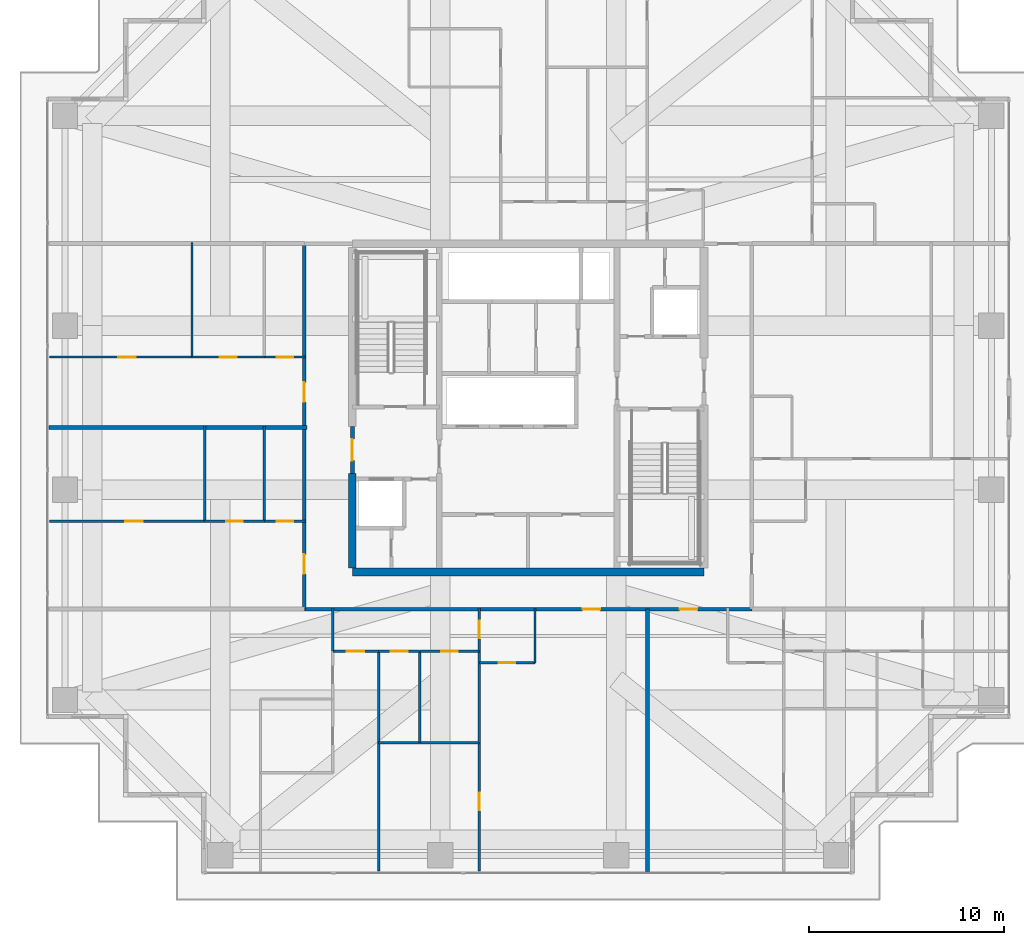
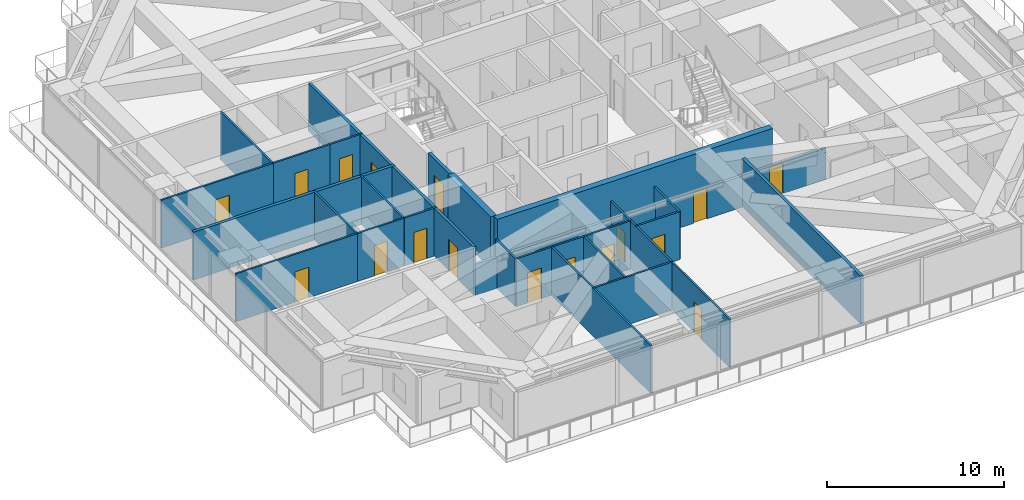
# One storey, part 23 of 32: 28 walls, 17 doors, 17 openings.
"""IFC4 building model written with IfcOpenShell, lengths in metres."""

from ifc_helpers import new_model, si_unit, direction, frame, frame_2d, origin, place, context, subcontext, project, spatial, rectangle, extrude, source, transform, mapped, material, layer, layer_set, type_object, element, fill, save


model = new_model("IFC4")

# Units and contexts
model_context = context("Model", 3, precision=1e-05, world=origin(), true_north=direction((0.0, 1.0)))
body_context = subcontext(model_context, "Body", "Model", "MODEL_VIEW")
ifc_project = project(units=[si_unit("LENGTHUNIT", "METRE"), si_unit("AREAUNIT", "SQUARE_METRE"), si_unit("VOLUMEUNIT", "CUBIC_METRE"), si_unit("PLANEANGLEUNIT", "RADIAN"), si_unit("MASSUNIT", "GRAM", prefix="KILO")], contexts=[model_context])

# Site, building, storey
site_placement = place(None, origin())
site = spatial("IfcSite", under=ifc_project, at=site_placement, CompositionType="ELEMENT")
building_placement = place(site_placement, origin())
building = spatial("IfcBuilding", under=site, at=building_placement, Name="Serunith Strait Residences", CompositionType="ELEMENT")
storey_placement = place(building_placement, frame((0.0, 0.0, 195.14990234375)))
storey = spatial("IfcBuildingStorey", under=building, at=storey_placement, Name="L49", CompositionType="ELEMENT", Elevation=195.14990234375)

# Wall, openings, doors
ifc_material_1 = material(Name="Fire-rated acoustic gypsum partition")
ifc_layer_1 = layer(ifc_material_1, 0.179931640625, Name="Fire-rated acoustic gypsum partition")
ifc_layer_set_1 = layer_set([ifc_layer_1], Name="Fire-rated acoustic gypsum partition")
wall_type_1 = type_object("IfcWallType", Name="IW-CORR-180", PredefinedType="PARTITIONING", material=ifc_layer_set_1)
wall_1_placement = place(storey_placement, frame((20.951904296875, 14.89990234375, 0.0), z_axis=(0.0, 0.0, 1.0), x_axis=(1.0, 0.0, 0.0)))
wall_1 = element("IfcWall", 1, at=wall_1_placement, inside=storey, type_object=wall_type_1, Name="L49 Partition Wall 026", PredefinedType="PARTITIONING", context=body_context, shape_type="SweptSolid", body=[
    extrude(rectangle(XDim=22.89599609375, YDim=0.179931640625, at=frame_2d((11.447998046875, 0.0))), origin(), (0.0, 0.0, 1.0), 2.14501953125),
])
opening_1_placement = place(wall_1_placement, frame((14.23095703125, 0.0, 0.0)))
opening_1 = element("IfcOpeningElement", 2, at=opening_1_placement, cuts=wall_1, Name="Opening FD-900", PredefinedType="OPENING", context=body_context, shape_type="SweptSolid", body=[
    extrude(rectangle(XDim=0.89990234375, YDim=2.10009765625, at=frame_2d((0.449951171875, 1.050048828125))), frame((0.0, 0.10009765625, 0.0), z_axis=(0.0, -1.0, 0.0), x_axis=(1.0, 0.0, 0.0)), (0.0, 0.0, 1.0), 0.199951171875),
])
opening_2_placement = place(wall_1_placement, frame((19.202880859375, 0.0, 0.0)))
opening_2 = element("IfcOpeningElement", 3, at=opening_2_placement, cuts=wall_1, Name="Opening FD-900", PredefinedType="OPENING", context=body_context, shape_type="SweptSolid", body=[
    extrude(rectangle(XDim=0.89990234375, YDim=2.10009765625, at=frame_2d((0.449951171875, 1.050048828125))), frame((0.0, 0.10009765625, 0.0), z_axis=(0.0, -1.0, 0.0), x_axis=(1.0, 0.0, 0.0)), (0.0, 0.0, 1.0), 0.199951171875),
])
ifc_material_2 = material(Name="Powder-coated steel riser door", Category="steel")
door_type_1 = type_object("IfcDoorType", Name="FD-BOH-900", OperationType="NOTDEFINED", PredefinedType="DOOR", material=ifc_material_2)
shared_shape_1 = source(origin(), body_context, "Body", "SweptSolid", [
    extrude(rectangle(XDim=0.89990234375, YDim=2.10009765625, at=frame_2d((0.449951171875, 1.050048828125))), frame((0.0, 0.02490234375, 0.0), z_axis=(0.0, -1.0, 0.0), x_axis=(1.0, 0.0, 0.0)), (0.0, 0.0, 1.0), 0.050048828125),
])
door_1_placement = place(opening_1_placement, origin())
door_1 = element("IfcDoor", 4, at=door_1_placement, inside=storey, type_object=door_type_1, Name="L49 Unit 01 Entrance Door", OperationType="SINGLE_SWING_LEFT", OverallHeight=2.10009765625, OverallWidth=0.89990234375, PredefinedType="DOOR", context=body_context, shape_type="MappedRepresentation", body=[
    mapped(shared_shape_1, transform((0.0, 0.0, 0.0), scale=1.0)),
])
fill(opening_1, door_1)
door_2_placement = place(opening_2_placement, origin())
door_2 = element("IfcDoor", 5, at=door_2_placement, inside=storey, type_object=door_type_1, Name="L49 Unit 02 Entrance Door", OperationType="SINGLE_SWING_RIGHT", OverallHeight=2.10009765625, OverallWidth=0.89990234375, PredefinedType="DOOR", context=body_context, shape_type="MappedRepresentation", body=[
    mapped(shared_shape_1, transform((0.0, 0.0, 0.0), scale=1.0)),
])
fill(opening_2, door_2)

wall_2_placement = place(storey_placement, frame((20.949951171875, 14.89990234375, 0.0), z_axis=(0.0, 0.0, 1.0), x_axis=(0.0, 1.0, 0.0)))
wall_2 = element("IfcWall", 6, at=wall_2_placement, inside=storey, type_object=wall_type_1, Name="L49 Partition Wall 027", PredefinedType="PARTITIONING", context=body_context, shape_type="SweptSolid", body=[
    extrude(rectangle(XDim=18.7001953125, YDim=0.179931640625, at=frame_2d((9.35009765625, 0.0))), origin(), (0.0, 0.0, 1.0), 3.31005859375),
])
opening_3_placement = place(wall_2_placement, frame((1.804931640625, 0.0, 0.0)))
opening_3 = element("IfcOpeningElement", 7, at=opening_3_placement, cuts=wall_2, Name="Opening D-APT1000", PredefinedType="OPENING", context=body_context, shape_type="SweptSolid", body=[
    extrude(rectangle(XDim=1.0, YDim=2.14990234375, at=frame_2d((0.5, 1.074951171875))), frame((0.0, 0.10009765625, 0.0), z_axis=(0.0, -1.0, 0.0), x_axis=(1.0, 0.0, 0.0)), (0.0, 0.0, 1.0), 0.199951171875),
])
opening_4_placement = place(wall_2_placement, frame((10.60205078125, 0.0, 0.0)))
opening_4 = element("IfcOpeningElement", 8, at=opening_4_placement, cuts=wall_2, Name="Opening D-APT1000", PredefinedType="OPENING", context=body_context, shape_type="SweptSolid", body=[
    extrude(rectangle(XDim=1.0, YDim=2.14990234375, at=frame_2d((0.5, 1.074951171875))), frame((0.0, 0.10009765625, 0.0), z_axis=(0.0, -1.0, 0.0), x_axis=(1.0, 0.0, 0.0)), (0.0, 0.0, 1.0), 0.199951171875),
])
ifc_material_3 = material(Name="Solid timber engineered fire door", Category="wood")
door_type_2 = type_object("IfcDoorType", Name="ID-APT-1000", OperationType="NOTDEFINED", PredefinedType="DOOR", material=ifc_material_3)
shared_shape_2 = source(origin(), body_context, "Body", "SweptSolid", [
    extrude(rectangle(XDim=1.0, YDim=2.14990234375, at=frame_2d((0.5, 1.074951171875))), frame((0.0, 0.02490234375, 0.0), z_axis=(0.0, -1.0, 0.0), x_axis=(1.0, 0.0, 0.0)), (0.0, 0.0, 1.0), 0.050048828125),
])
door_3_placement = place(opening_3_placement, origin())
door_3 = element("IfcDoor", 9, at=door_3_placement, inside=storey, type_object=door_type_2, Name="L49 Unit 04 Entrance Door", OperationType="SINGLE_SWING_LEFT", OverallHeight=2.14990234375, OverallWidth=1.0, PredefinedType="DOOR", context=body_context, shape_type="MappedRepresentation", body=[
    mapped(shared_shape_2, transform((0.0, 0.0, 0.0), scale=1.0)),
])
fill(opening_3, door_3)
door_4_placement = place(opening_4_placement, origin())
door_4 = element("IfcDoor", 10, at=door_4_placement, inside=storey, type_object=door_type_2, Name="L49 Unit 05 Entrance Door", OperationType="SINGLE_SWING_RIGHT", OverallHeight=2.14990234375, OverallWidth=1.0, PredefinedType="DOOR", context=body_context, shape_type="MappedRepresentation", body=[
    mapped(shared_shape_2, transform((0.0, 0.0, 0.0), scale=1.0)),
])
fill(opening_4, door_4)

# Wall, opening, door
ifc_material_4 = material(Name="Lightweight steel-stud gypsum partition", Category="steel")
ifc_layer_2 = layer(ifc_material_4, 0.1201171875, Name="Lightweight steel-stud gypsum partition")
ifc_layer_set_2 = layer_set([ifc_layer_2], Name="Lightweight steel-stud gypsum partition")
wall_type_2 = type_object("IfcWallType", Name="IW-PART-120", PredefinedType="PARTITIONING", material=ifc_layer_set_2)
wall_3_placement = place(storey_placement, frame((29.89990234375, 12.14990234375, 0.0), z_axis=(0.0, 0.0, 1.0), x_axis=(1.0, 0.0, 0.0)))
wall_3 = element("IfcWall", 11, at=wall_3_placement, inside=storey, type_object=wall_type_2, Name="L49 Partition Wall 031", PredefinedType="PARTITIONING", context=body_context, shape_type="SweptSolid", body=[
    extrude(rectangle(XDim=2.85009765625, YDim=0.1201171875, at=frame_2d((1.425048828125, 0.0))), origin(), (0.0, 0.0, 1.0), 3.31005859375),
])
opening_5_placement = place(wall_3_placement, frame((1.0, 0.0, 0.0)))
opening_5 = element("IfcOpeningElement", 12, at=opening_5_placement, cuts=wall_3, Name="Opening D-RM850", PredefinedType="OPENING", context=body_context, shape_type="SweptSolid", body=[
    extrude(rectangle(XDim=0.85009765625, YDim=2.10009765625, at=frame_2d((0.425048828125, 1.050048828125))), frame((0.0, 0.070068359375, 0.0), z_axis=(0.0, -1.0, 0.0), x_axis=(1.0, 0.0, 0.0)), (0.0, 0.0, 1.0), 0.14013671875),
])
ifc_material_5 = material(Name="Engineered timber flush study and kitchen door", Category="wood")
door_type_3 = type_object("IfcDoorType", Name="ID-ROOM-850", OperationType="NOTDEFINED", PredefinedType="DOOR", material=ifc_material_5)
shared_shape_3 = source(origin(), body_context, "Body", "SweptSolid", [
    extrude(rectangle(XDim=0.85009765625, YDim=2.10009765625, at=frame_2d((0.425048828125, 1.050048828125))), frame((0.0, 0.02490234375, 0.0), z_axis=(0.0, -1.0, 0.0), x_axis=(1.0, 0.0, 0.0)), (0.0, 0.0, 1.0), 0.050048828125),
])
door_5_placement = place(opening_5_placement, origin())
door_5 = element("IfcDoor", 13, at=door_5_placement, inside=storey, type_object=door_type_3, Name="L49 Kitchen 4901 Door", OperationType="SINGLE_SWING_LEFT", OverallHeight=2.10009765625, OverallWidth=0.85009765625, PredefinedType="DOOR", context=body_context, shape_type="MappedRepresentation", body=[
    mapped(shared_shape_3, transform((0.0, 0.0, 0.0), scale=1.0)),
])
fill(opening_5, door_5)

# Wall
wall_4_placement = place(storey_placement, frame((32.75, 12.14990234375, 0.0), z_axis=(0.0, 0.0, 1.0), x_axis=(0.0, 1.0, 0.0)))
element("IfcWall", 14, at=wall_4_placement, inside=storey, type_object=wall_type_2, Name="L49 Partition Wall 032", PredefinedType="PARTITIONING", context=body_context, shape_type="SweptSolid", body=[
    extrude(rectangle(XDim=2.81005859375, YDim=0.1201171875, at=frame_2d((1.405029296875, 0.0))), origin(), (0.0, 0.0, 1.0), 3.31005859375),
])

# Wall, opening, door
wall_5_placement = place(storey_placement, frame((29.89990234375, 12.75, 0.0), z_axis=(0.0, 0.0, 1.0), x_axis=(0.0, 1.0, 0.0)))
wall_5 = element("IfcWall", 15, at=wall_5_placement, inside=storey, type_object=wall_type_2, Name="L49 Partition Wall 033", PredefinedType="PARTITIONING", context=body_context, shape_type="SweptSolid", body=[
    extrude(rectangle(XDim=2.2099609375, YDim=0.1201171875, at=frame_2d((1.10498046875, 0.0))), origin(), (0.0, 0.0, 1.0), 3.31005859375),
])
opening_6_placement = place(wall_5_placement, frame((0.655029296875, 0.0, 0.0)))
opening_6 = element("IfcOpeningElement", 16, at=opening_6_placement, cuts=wall_5, Name="Opening D-RM900", PredefinedType="OPENING", context=body_context, shape_type="SweptSolid", body=[
    extrude(rectangle(XDim=0.89990234375, YDim=2.10009765625, at=frame_2d((0.449951171875, 1.050048828125))), frame((0.0, 0.070068359375, 0.0), z_axis=(0.0, -1.0, 0.0), x_axis=(1.0, 0.0, 0.0)), (0.0, 0.0, 1.0), 0.14013671875),
])
ifc_material_6 = material(Name="Engineered timber flush bedroom door", Category="wood")
door_type_4 = type_object("IfcDoorType", Name="ID-ROOM-900", OperationType="NOTDEFINED", PredefinedType="DOOR", material=ifc_material_6)
door_6_placement = place(opening_6_placement, origin())
door_6 = element("IfcDoor", 17, at=door_6_placement, inside=storey, type_object=door_type_4, Name="L49 Hall W 4901 Door", OperationType="SINGLE_SWING_RIGHT", OverallHeight=2.10009765625, OverallWidth=0.89990234375, PredefinedType="DOOR", context=body_context, shape_type="MappedRepresentation", body=[
    mapped(shared_shape_1, transform((0.0, 0.0, 0.0), scale=1.0)),
])
fill(opening_6, door_6)

wall_6_placement = place(storey_placement, frame((29.89990234375, 1.4951171875, 0.0), z_axis=(0.0, 0.0, 1.0), x_axis=(0.0, 1.0, 0.0)))
wall_6 = element("IfcWall", 18, at=wall_6_placement, inside=storey, type_object=wall_type_2, Name="L49 Partition Wall 034", PredefinedType="PARTITIONING", context=body_context, shape_type="SweptSolid", body=[
    extrude(rectangle(XDim=6.56787109375, YDim=0.1201171875, at=frame_2d((3.283935546875, 0.0))), origin(), (0.0, 0.0, 1.0), 3.31005859375),
])
opening_7_placement = place(wall_6_placement, frame((3.116943359375, 0.0, 0.0)))
opening_7 = element("IfcOpeningElement", 19, at=opening_7_placement, cuts=wall_6, Name="Opening D-RM900", PredefinedType="OPENING", context=body_context, shape_type="SweptSolid", body=[
    extrude(rectangle(XDim=0.89990234375, YDim=2.10009765625, at=frame_2d((0.449951171875, 1.050048828125))), frame((0.0, 0.070068359375, 0.0), z_axis=(0.0, -1.0, 0.0), x_axis=(1.0, 0.0, 0.0)), (0.0, 0.0, 1.0), 0.14013671875),
])
door_7_placement = place(opening_7_placement, origin())
door_7 = element("IfcDoor", 20, at=door_7_placement, inside=storey, type_object=door_type_4, Name="L49 Formal Dining Room 1 4901 Door", OperationType="SINGLE_SWING_LEFT", OverallHeight=2.10009765625, OverallWidth=0.89990234375, PredefinedType="DOOR", context=body_context, shape_type="MappedRepresentation", body=[
    mapped(shared_shape_1, transform((0.0, 0.0, 0.0), scale=1.0)),
])
fill(opening_7, door_7)

# Walls
wall_7_placement = place(storey_placement, frame((29.89990234375, 8.06494140625, 0.0), z_axis=(0.0, 0.0, 1.0), x_axis=(0.0, 1.0, 0.0)))
element("IfcWall", 21, at=wall_7_placement, inside=storey, type_object=wall_type_2, Name="L49 Partition Wall 035", PredefinedType="PARTITIONING", context=body_context, shape_type="SweptSolid", body=[
    extrude(rectangle(XDim=4.68310546875, YDim=0.1201171875, at=frame_2d((2.341552734375, 0.0))), origin(), (0.0, 0.0, 1.0), 3.31005859375),
])
wall_8_placement = place(storey_placement, frame((24.75, 8.06298828125, 0.0), z_axis=(0.0, 0.0, 1.0), x_axis=(1.0, 0.0, 0.0)))
element("IfcWall", 22, at=wall_8_placement, inside=storey, type_object=wall_type_2, Name="L49 Partition Wall 036", PredefinedType="PARTITIONING", context=body_context, shape_type="SweptSolid", body=[
    extrude(rectangle(XDim=5.14990234375, YDim=0.1201171875, at=frame_2d((2.574951171875, 0.0))), origin(), (0.0, 0.0, 1.0), 3.31005859375),
])
wall_9_placement = place(storey_placement, frame((24.75, 1.4951171875, 0.0), z_axis=(0.0, 0.0, 1.0), x_axis=(0.0, 1.0, 0.0)))
element("IfcWall", 23, at=wall_9_placement, inside=storey, type_object=wall_type_2, Name="L49 Partition Wall 037", PredefinedType="PARTITIONING", context=body_context, shape_type="SweptSolid", body=[
    extrude(rectangle(XDim=11.2548828125, YDim=0.1201171875, at=frame_2d((5.62744140625, 0.0))), origin(), (0.0, 0.0, 1.0), 3.31005859375),
])
wall_10_placement = place(storey_placement, frame((26.85009765625, 8.06298828125, 0.0), z_axis=(0.0, 0.0, 1.0), x_axis=(0.0, 1.0, 0.0)))
element("IfcWall", 24, at=wall_10_placement, inside=storey, type_object=wall_type_2, Name="L49 Partition Wall 038", PredefinedType="PARTITIONING", context=body_context, shape_type="SweptSolid", body=[
    extrude(rectangle(XDim=4.68701171875, YDim=0.1201171875, at=frame_2d((2.343505859375, 0.0))), origin(), (0.0, 0.0, 1.0), 3.31005859375),
])

# Wall, opening, door
wall_11_placement = place(storey_placement, frame((24.75, 12.75, 0.0), z_axis=(0.0, 0.0, 1.0), x_axis=(1.0, 0.0, 0.0)))
wall_11 = element("IfcWall", 25, at=wall_11_placement, inside=storey, type_object=wall_type_2, Name="L49 Partition Wall 039", PredefinedType="PARTITIONING", context=body_context, shape_type="SweptSolid", body=[
    extrude(rectangle(XDim=2.10009765625, YDim=0.1201171875, at=frame_2d((1.050048828125, 0.0))), origin(), (0.0, 0.0, 1.0), 3.31005859375),
])
opening_8_placement = place(wall_11_placement, frame((0.625, 0.0, 0.0)))
opening_8 = element("IfcOpeningElement", 26, at=opening_8_placement, cuts=wall_11, Name="Opening D-BTH850", PredefinedType="OPENING", context=body_context, shape_type="SweptSolid", body=[
    extrude(rectangle(XDim=0.85009765625, YDim=2.10009765625, at=frame_2d((0.425048828125, 1.050048828125))), frame((0.0, 0.070068359375, 0.0), z_axis=(0.0, -1.0, 0.0), x_axis=(1.0, 0.0, 0.0)), (0.0, 0.0, 1.0), 0.14013671875),
])
ifc_material_7 = material(Name="Moisture-resistant timber bathroom door", Category="wood")
door_type_5 = type_object("IfcDoorType", Name="ID-BATH-850", OperationType="NOTDEFINED", PredefinedType="DOOR", material=ifc_material_7)
door_8_placement = place(opening_8_placement, origin())
door_8 = element("IfcDoor", 27, at=door_8_placement, inside=storey, type_object=door_type_5, Name="L49 Bathroom 4901 Door", OperationType="SINGLE_SWING_RIGHT", OverallHeight=2.10009765625, OverallWidth=0.85009765625, PredefinedType="DOOR", context=body_context, shape_type="MappedRepresentation", body=[
    mapped(shared_shape_3, transform((0.0, 0.0, 0.0), scale=1.0)),
])
fill(opening_8, door_8)

wall_12_placement = place(storey_placement, frame((26.85205078125, 12.75, 0.0), z_axis=(0.0, 0.0, 1.0), x_axis=(1.0, 0.0, 0.0)))
wall_12 = element("IfcWall", 28, at=wall_12_placement, inside=storey, type_object=wall_type_2, Name="L49 Partition Wall 040", PredefinedType="PARTITIONING", context=body_context, shape_type="SweptSolid", body=[
    extrude(rectangle(XDim=3.0478515625, YDim=0.1201171875, at=frame_2d((1.52392578125, 0.0))), origin(), (0.0, 0.0, 1.0), 3.31005859375),
])
opening_9_placement = place(wall_12_placement, frame((1.09912109375, 0.0, 0.0)))
opening_9 = element("IfcOpeningElement", 29, at=opening_9_placement, cuts=wall_12, Name="Opening D-RM850", PredefinedType="OPENING", context=body_context, shape_type="SweptSolid", body=[
    extrude(rectangle(XDim=0.85009765625, YDim=2.10009765625, at=frame_2d((0.425048828125, 1.050048828125))), frame((0.0, 0.070068359375, 0.0), z_axis=(0.0, -1.0, 0.0), x_axis=(1.0, 0.0, 0.0)), (0.0, 0.0, 1.0), 0.14013671875),
])
door_9_placement = place(opening_9_placement, origin())
door_9 = element("IfcDoor", 30, at=door_9_placement, inside=storey, type_object=door_type_3, Name="L49 Formal Dining Room 4901 Door", OperationType="SINGLE_SWING_LEFT", OverallHeight=2.10009765625, OverallWidth=0.85009765625, PredefinedType="DOOR", context=body_context, shape_type="MappedRepresentation", body=[
    mapped(shared_shape_3, transform((0.0, 0.0, 0.0), scale=1.0)),
])
fill(opening_9, door_9)

wall_13_placement = place(storey_placement, frame((22.39990234375, 12.75, 0.0), z_axis=(0.0, 0.0, 1.0), x_axis=(1.0, 0.0, 0.0)))
wall_13 = element("IfcWall", 31, at=wall_13_placement, inside=storey, type_object=wall_type_2, Name="L49 Partition Wall 041", PredefinedType="PARTITIONING", context=body_context, shape_type="SweptSolid", body=[
    extrude(rectangle(XDim=2.34814453125, YDim=0.1201171875, at=frame_2d((1.174072265625, 0.0))), origin(), (0.0, 0.0, 1.0), 3.31005859375),
])
opening_10_placement = place(wall_13_placement, frame((0.72412109375, 0.0, 0.0)))
opening_10 = element("IfcOpeningElement", 32, at=opening_10_placement, cuts=wall_13, Name="Opening D-RM900", PredefinedType="OPENING", context=body_context, shape_type="SweptSolid", body=[
    extrude(rectangle(XDim=0.89990234375, YDim=2.10009765625, at=frame_2d((0.449951171875, 1.050048828125))), frame((0.0, 0.070068359375, 0.0), z_axis=(0.0, -1.0, 0.0), x_axis=(1.0, 0.0, 0.0)), (0.0, 0.0, 1.0), 0.14013671875),
])
door_10_placement = place(opening_10_placement, origin())
door_10 = element("IfcDoor", 33, at=door_10_placement, inside=storey, type_object=door_type_4, Name="L49 Master Bedroom W 4901 Door", OperationType="SINGLE_SWING_RIGHT", OverallHeight=2.10009765625, OverallWidth=0.89990234375, PredefinedType="DOOR", context=body_context, shape_type="MappedRepresentation", body=[
    mapped(shared_shape_1, transform((0.0, 0.0, 0.0), scale=1.0)),
])
fill(opening_10, door_10)

# Wall
wall_14_placement = place(storey_placement, frame((22.39990234375, 12.751953125, 0.0), z_axis=(0.0, 0.0, 1.0), x_axis=(0.0, 1.0, 0.0)))
element("IfcWall", 34, at=wall_14_placement, inside=storey, type_object=wall_type_2, Name="L49 Partition Wall 047", PredefinedType="PARTITIONING", context=body_context, shape_type="SweptSolid", body=[
    extrude(rectangle(XDim=2.2080078125, YDim=0.1201171875, at=frame_2d((1.10400390625, 0.0))), origin(), (0.0, 0.0, 1.0), 3.31005859375),
])

# Wall, opening, door
wall_15_placement = place(storey_placement, frame((7.89501953125, 19.39990234375, 0.0), z_axis=(0.0, 0.0, 1.0), x_axis=(1.0, 0.0, 0.0)))
wall_15 = element("IfcWall", 35, at=wall_15_placement, inside=storey, type_object=wall_type_2, Name="L49 Partition Wall 086", PredefinedType="PARTITIONING", context=body_context, shape_type="SweptSolid", body=[
    extrude(rectangle(XDim=7.950927734375, YDim=0.1201171875, at=frame_2d((3.9755859375, 0.0))), origin(), (0.0, 0.0, 1.0), 3.31005859375),
])
opening_11_placement = place(wall_15_placement, frame((3.8779296875, 0.0, 0.0)))
opening_11 = element("IfcOpeningElement", 36, at=opening_11_placement, cuts=wall_15, Name="Opening D-RM900", PredefinedType="OPENING", context=body_context, shape_type="SweptSolid", body=[
    extrude(rectangle(XDim=0.89990234375, YDim=2.10009765625, at=frame_2d((0.449951171875, 1.050048828125))), frame((0.0, 0.070068359375, 0.0), z_axis=(0.0, -1.0, 0.0), x_axis=(1.0, 0.0, 0.0)), (0.0, 0.0, 1.0), 0.14013671875),
])
door_11_placement = place(opening_11_placement, origin())
door_11 = element("IfcDoor", 37, at=door_11_placement, inside=storey, type_object=door_type_4, Name="L49 Master Bedroom 1 4904 Door", OperationType="SINGLE_SWING_RIGHT", OverallHeight=2.10009765625, OverallWidth=0.89990234375, PredefinedType="DOOR", context=body_context, shape_type="MappedRepresentation", body=[
    mapped(shared_shape_1, transform((0.0, 0.0, 0.0), scale=1.0)),
])
fill(opening_11, door_11)

# Walls
for number, where, z_axis, x_axis, name in (
    (38, (15.845947265625, 19.39990234375, 0.0), (0.0, 0.0, 1.0), (0.0, 1.0, 0.0), "L49 Partition Wall 087"),
    (39, (18.89990234375, 19.39990234375, 0.0), (0.0, 0.0, 1.0), (0.0, 1.0, 0.0), "L49 Partition Wall 088"),
):
    element("IfcWall", number, at=place(storey_placement, frame(where, z_axis=z_axis, x_axis=x_axis)), inside=storey, type_object=wall_type_2, Name=name, PredefinedType="PARTITIONING", context=body_context, shape_type="SweptSolid", body=[
        extrude(rectangle(XDim=4.860107421875, YDim=0.1201171875, at=frame_2d((2.43017578125, 0.0))), origin(), (0.0, 0.0, 1.0), 3.31005859375),
    ])

# Wall, opening, door
wall_16_placement = place(storey_placement, frame((15.847900390625, 19.39990234375, 0.0), z_axis=(0.0, 0.0, 1.0), x_axis=(1.0, 0.0, 0.0)))
wall_16 = element("IfcWall", 40, at=wall_16_placement, inside=storey, type_object=wall_type_2, Name="L49 Partition Wall 089", PredefinedType="PARTITIONING", context=body_context, shape_type="SweptSolid", body=[
    extrude(rectangle(XDim=3.052001953125, YDim=0.1201171875, at=frame_2d((1.52587890625, 0.0))), origin(), (0.0, 0.0, 1.0), 3.31005859375),
])
opening_12_placement = place(wall_16_placement, frame((1.10107421875, 0.0, 0.0)))
opening_12 = element("IfcOpeningElement", 41, at=opening_12_placement, cuts=wall_16, Name="Opening D-RM850", PredefinedType="OPENING", context=body_context, shape_type="SweptSolid", body=[
    extrude(rectangle(XDim=0.85009765625, YDim=2.10009765625, at=frame_2d((0.425048828125, 1.050048828125))), frame((0.0, 0.070068359375, 0.0), z_axis=(0.0, -1.0, 0.0), x_axis=(1.0, 0.0, 0.0)), (0.0, 0.0, 1.0), 0.14013671875),
])
door_12_placement = place(opening_12_placement, origin())
door_12 = element("IfcDoor", 42, at=door_12_placement, inside=storey, type_object=door_type_3, Name="L49 Kitchen 4904 Door", OperationType="SINGLE_SWING_LEFT", OverallHeight=2.10009765625, OverallWidth=0.85009765625, PredefinedType="DOOR", context=body_context, shape_type="MappedRepresentation", body=[
    mapped(shared_shape_3, transform((0.0, 0.0, 0.0), scale=1.0)),
])
fill(opening_12, door_12)

wall_17_placement = place(storey_placement, frame((18.902099609375, 19.39990234375, 0.0), z_axis=(0.0, 0.0, 1.0), x_axis=(1.0, 0.0, 0.0)))
wall_17 = element("IfcWall", 43, at=wall_17_placement, inside=storey, type_object=wall_type_2, Name="L49 Partition Wall 090", PredefinedType="PARTITIONING", context=body_context, shape_type="SweptSolid", body=[
    extrude(rectangle(XDim=2.10791015625, YDim=0.1201171875, at=frame_2d((1.053955078125, 0.0))), origin(), (0.0, 0.0, 1.0), 3.31005859375),
])
opening_13_placement = place(wall_17_placement, frame((0.62890625, 0.0, 0.0)))
opening_13 = element("IfcOpeningElement", 44, at=opening_13_placement, cuts=wall_17, Name="Opening D-BTH850", PredefinedType="OPENING", context=body_context, shape_type="SweptSolid", body=[
    extrude(rectangle(XDim=0.85009765625, YDim=2.10009765625, at=frame_2d((0.425048828125, 1.050048828125))), frame((0.0, 0.070068359375, 0.0), z_axis=(0.0, -1.0, 0.0), x_axis=(1.0, 0.0, 0.0)), (0.0, 0.0, 1.0), 0.14013671875),
])
door_13_placement = place(opening_13_placement, origin())
door_13 = element("IfcDoor", 45, at=door_13_placement, inside=storey, type_object=door_type_5, Name="L49 Bathroom 4904 Door", OperationType="SINGLE_SWING_RIGHT", OverallHeight=2.10009765625, OverallWidth=0.85009765625, PredefinedType="DOOR", context=body_context, shape_type="MappedRepresentation", body=[
    mapped(shared_shape_3, transform((0.0, 0.0, 0.0), scale=1.0)),
])
fill(opening_13, door_13)

wall_18_placement = place(storey_placement, frame((7.89501953125, 27.800048828125, 0.0), z_axis=(0.0, 0.0, 1.0), x_axis=(1.0, 0.0, 0.0)))
wall_18 = element("IfcWall", 46, at=wall_18_placement, inside=storey, type_object=wall_type_2, Name="L49 Partition Wall 091", PredefinedType="PARTITIONING", context=body_context, shape_type="SweptSolid", body=[
    extrude(rectangle(XDim=7.302978515625, YDim=0.1201171875, at=frame_2d((3.6513671875, 0.0))), origin(), (0.0, 0.0, 1.0), 3.31005859375),
])
opening_14_placement = place(wall_18_placement, frame((3.52197265625, 0.0, 0.0)))
opening_14 = element("IfcOpeningElement", 47, at=opening_14_placement, cuts=wall_18, Name="Opening D-RM900", PredefinedType="OPENING", context=body_context, shape_type="SweptSolid", body=[
    extrude(rectangle(XDim=0.89990234375, YDim=2.10009765625, at=frame_2d((0.449951171875, 1.050048828125))), frame((0.0, 0.070068359375, 0.0), z_axis=(0.0, -1.0, 0.0), x_axis=(1.0, 0.0, 0.0)), (0.0, 0.0, 1.0), 0.14013671875),
])
door_14_placement = place(opening_14_placement, origin())
door_14 = element("IfcDoor", 48, at=door_14_placement, inside=storey, type_object=door_type_4, Name="L49 Master Bedroom 1 4905 Door", OperationType="SINGLE_SWING_LEFT", OverallHeight=2.10009765625, OverallWidth=0.89990234375, PredefinedType="DOOR", context=body_context, shape_type="MappedRepresentation", body=[
    mapped(shared_shape_1, transform((0.0, 0.0, 0.0), scale=1.0)),
])
fill(opening_14, door_14)

# Wall
wall_19_placement = place(storey_placement, frame((15.197998046875, 27.800048828125, 0.0), z_axis=(0.0, 0.0, 1.0), x_axis=(0.0, 1.0, 0.0)))
element("IfcWall", 49, at=wall_19_placement, inside=storey, type_object=wall_type_2, Name="L49 Partition Wall 092", PredefinedType="PARTITIONING", context=body_context, shape_type="SweptSolid", body=[
    extrude(rectangle(XDim=5.85986328125, YDim=0.1201171875, at=frame_2d((2.929931640625, 0.0))), origin(), (0.0, 0.0, 1.0), 3.31005859375),
])

# Wall, opening, door
wall_20_placement = place(storey_placement, frame((15.199951171875, 27.800048828125, 0.0), z_axis=(0.0, 0.0, 1.0), x_axis=(1.0, 0.0, 0.0)))
wall_20 = element("IfcWall", 50, at=wall_20_placement, inside=storey, type_object=wall_type_2, Name="L49 Partition Wall 094", PredefinedType="PARTITIONING", context=body_context, shape_type="SweptSolid", body=[
    extrude(rectangle(XDim=3.699951171875, YDim=0.1201171875, at=frame_2d((1.85009765625, 0.0))), origin(), (0.0, 0.0, 1.0), 3.31005859375),
])
opening_15_placement = place(wall_20_placement, frame((1.425048828125, 0.0, 0.0)))
opening_15 = element("IfcOpeningElement", 51, at=opening_15_placement, cuts=wall_20, Name="Opening D-RM850", PredefinedType="OPENING", context=body_context, shape_type="SweptSolid", body=[
    extrude(rectangle(XDim=0.85009765625, YDim=2.10009765625, at=frame_2d((0.425048828125, 1.050048828125))), frame((0.0, 0.070068359375, 0.0), z_axis=(0.0, -1.0, 0.0), x_axis=(1.0, 0.0, 0.0)), (0.0, 0.0, 1.0), 0.14013671875),
])
door_15_placement = place(opening_15_placement, origin())
door_15 = element("IfcDoor", 52, at=door_15_placement, inside=storey, type_object=door_type_3, Name="L49 Kitchen 4905 Door", OperationType="SINGLE_SWING_RIGHT", OverallHeight=2.10009765625, OverallWidth=0.85009765625, PredefinedType="DOOR", context=body_context, shape_type="MappedRepresentation", body=[
    mapped(shared_shape_3, transform((0.0, 0.0, 0.0), scale=1.0)),
])
fill(opening_15, door_15)

wall_21_placement = place(storey_placement, frame((18.902099609375, 27.800048828125, 0.0), z_axis=(0.0, 0.0, 1.0), x_axis=(1.0, 0.0, 0.0)))
wall_21 = element("IfcWall", 53, at=wall_21_placement, inside=storey, type_object=wall_type_2, Name="L49 Partition Wall 095", PredefinedType="PARTITIONING", context=body_context, shape_type="SweptSolid", body=[
    extrude(rectangle(XDim=2.10791015625, YDim=0.1201171875, at=frame_2d((1.053955078125, 0.0))), origin(), (0.0, 0.0, 1.0), 3.31005859375),
])
opening_16_placement = place(wall_21_placement, frame((0.62890625, 0.0, 0.0)))
opening_16 = element("IfcOpeningElement", 54, at=opening_16_placement, cuts=wall_21, Name="Opening D-BTH850", PredefinedType="OPENING", context=body_context, shape_type="SweptSolid", body=[
    extrude(rectangle(XDim=0.85009765625, YDim=2.10009765625, at=frame_2d((0.425048828125, 1.050048828125))), frame((0.0, 0.070068359375, 0.0), z_axis=(0.0, -1.0, 0.0), x_axis=(1.0, 0.0, 0.0)), (0.0, 0.0, 1.0), 0.14013671875),
])
door_16_placement = place(opening_16_placement, origin())
door_16 = element("IfcDoor", 55, at=door_16_placement, inside=storey, type_object=door_type_5, Name="L49 Bathroom 4905 Door", OperationType="SINGLE_SWING_LEFT", OverallHeight=2.10009765625, OverallWidth=0.85009765625, PredefinedType="DOOR", context=body_context, shape_type="MappedRepresentation", body=[
    mapped(shared_shape_3, transform((0.0, 0.0, 0.0), scale=1.0)),
])
fill(opening_16, door_16)

# Walls
ifc_material_8 = material(Name="Twin-stud acoustic gypsum board partition")
ifc_layer_3 = layer(ifc_material_8, 0.199951171875, Name="Twin-stud acoustic gypsum board partition")
ifc_layer_set_3 = layer_set([ifc_layer_3], Name="Twin-stud acoustic gypsum board partition")
wall_type_3 = type_object("IfcWallType", Name="IW-PARTY-200", PredefinedType="PARTITIONING", material=ifc_layer_set_3)
wall_22_placement = place(storey_placement, frame((38.5, 1.48193359375, 0.0), z_axis=(0.0, 0.0, 1.0), x_axis=(0.0, 1.0, 0.0)))
element("IfcWall", 56, at=wall_22_placement, inside=storey, type_object=wall_type_3, Name="L49 Partition Wall 020", PredefinedType="PARTITIONING", context=body_context, shape_type="SweptSolid", body=[
    extrude(rectangle(XDim=13.41796875, YDim=0.199951171875, at=frame_2d((6.708984375, 0.0))), origin(), (0.0, 0.0, 1.0), 3.31005859375),
])
wall_23_placement = place(storey_placement, frame((7.882080078125, 24.199951171875, 0.0), z_axis=(0.0, 0.0, 1.0), x_axis=(1.0, 0.0, 0.0)))
element("IfcWall", 57, at=wall_23_placement, inside=storey, type_object=wall_type_3, Name="L49 Partition Wall 021", PredefinedType="PARTITIONING", context=body_context, shape_type="SweptSolid", body=[
    extrude(rectangle(XDim=13.18798828125, YDim=0.199951171875, at=frame_2d((6.593994140625, 0.0))), origin(), (0.0, 0.0, 1.0), 3.31005859375),
])

# Wall, opening, door
ifc_material_9 = material(Name="Autoclaved aerated concrete blockwork", Category="masonry")
ifc_layer_4 = layer(ifc_material_9, 0.199951171875, Name="Autoclaved aerated concrete blockwork")
ifc_layer_set_4 = layer_set([ifc_layer_4], Name="Autoclaved aerated concrete blockwork")
wall_type_4 = type_object("IfcWallType", Name="IW-SHAFT-200", PredefinedType="STANDARD", material=ifc_layer_set_4)
wall_24_placement = place(storey_placement, frame((23.39990234375, 21.85205078125, 0.0), z_axis=(0.0, 0.0, 1.0), x_axis=(0.0, 1.0, 0.0)))
wall_24 = element("IfcWall", 58, at=wall_24_placement, inside=storey, type_object=wall_type_4, Name="L49 Partition Wall 007", PredefinedType="STANDARD", context=body_context, shape_type="SweptSolid", body=[
    extrude(rectangle(XDim=2.39599609375, YDim=0.199951171875, at=frame_2d((1.197998046875, 0.0))), origin(), (0.0, 0.0, 1.0), 3.31005859375),
])
opening_17_placement = place(wall_24_placement, frame((0.64794921875, 0.0, 0.0)))
opening_17 = element("IfcOpeningElement", 59, at=opening_17_placement, cuts=wall_24, Name="Opening FD-FFL", PredefinedType="OPENING", context=body_context, shape_type="SweptSolid", body=[
    extrude(rectangle(XDim=1.10009765625, YDim=2.14990234375, at=frame_2d((0.550048828125, 1.074951171875))), frame((0.0, 0.10986328125, 0.0), z_axis=(0.0, -1.0, 0.0), x_axis=(1.0, 0.0, 0.0)), (0.0, 0.0, 1.0), 0.219970703125),
])
ifc_material_10 = material(Name="Glazed steel smoke-lobby fire door", Category="steel")
door_type_6 = type_object("IfcDoorType", Name="FD-FFL-1100", OperationType="NOTDEFINED", PredefinedType="DOOR", material=ifc_material_10)
shared_shape_4 = source(origin(), body_context, "Body", "SweptSolid", [
    extrude(rectangle(XDim=1.10009765625, YDim=2.14990234375, at=frame_2d((0.550048828125, 1.074951171875))), frame((0.0, 0.02490234375, 0.0), z_axis=(0.0, -1.0, 0.0), x_axis=(1.0, 0.0, 0.0)), (0.0, 0.0, 1.0), 0.050048828125),
])
door_17_placement = place(opening_17_placement, origin())
door_17 = element("IfcDoor", 60, at=door_17_placement, inside=storey, type_object=door_type_6, Name="L49 FFL-1 Corridor Fire Door", OperationType="SINGLE_SWING_RIGHT", OverallHeight=2.14990234375, OverallWidth=1.10009765625, PredefinedType="DOOR", context=body_context, shape_type="MappedRepresentation", body=[
    mapped(shared_shape_4, transform((0.0, 0.0, 0.0), scale=1.0)),
])
fill(opening_17, door_17)

# Walls
ifc_material_11 = material(Name="Concrete C70/85", Category="concrete")
ifc_layer_5 = layer(ifc_material_11, 0.39990234375, Name="Concrete C70/85")
ifc_layer_set_5 = layer_set([ifc_layer_5], Name="Concrete C70/85")
wall_type_5 = type_object("IfcWallType", Name="SW-400-C70", PredefinedType="SHEAR", material=ifc_layer_set_5)
wall_25_placement = place(storey_placement, frame((23.39990234375, 16.800048828125, -0.260009765625), z_axis=(0.0, 0.0, 1.0), x_axis=(1.0, 0.0, 0.0)))
element("IfcWall", 61, at=wall_25_placement, inside=storey, type_object=wall_type_5, Name="L49 Core South Shear Wall", PredefinedType="SHEAR", context=body_context, shape_type="SweptSolid", body=[
    extrude(rectangle(XDim=18.0, YDim=0.39990234375, at=frame_2d((9.0, 0.0))), origin(), (0.0, 0.0, 1.0), 3.568115234375),
])
wall_26_placement = place(storey_placement, frame((23.39990234375, 17.0, -0.260009765625), z_axis=(0.0, 0.0, 1.0), x_axis=(0.0, 1.0, 0.0)))
element("IfcWall", 62, at=wall_26_placement, inside=storey, type_object=wall_type_5, Name="L49 Core West Shear Wall South Pier", PredefinedType="SHEAR", context=body_context, shape_type="SweptSolid", body=[
    extrude(rectangle(XDim=4.85009765625, YDim=0.39990234375, at=frame_2d((2.425048828125, 0.0))), origin(), (0.0, 0.0, 1.0), 3.568115234375),
])

save(model, "model.ifc")
